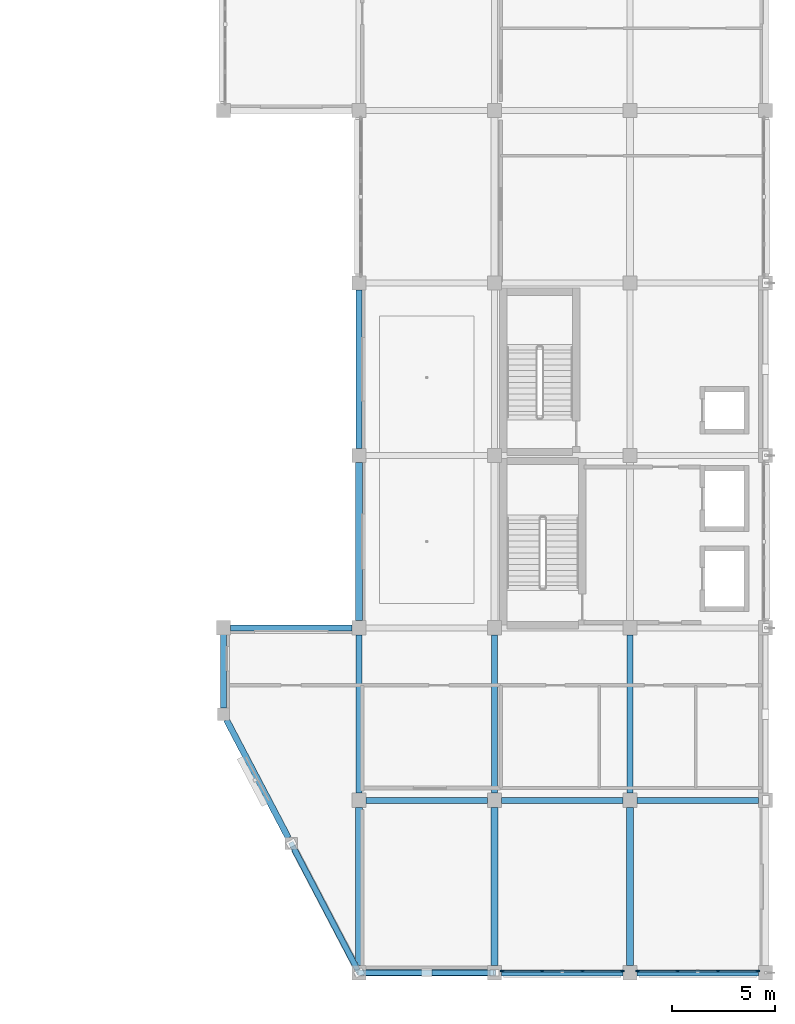
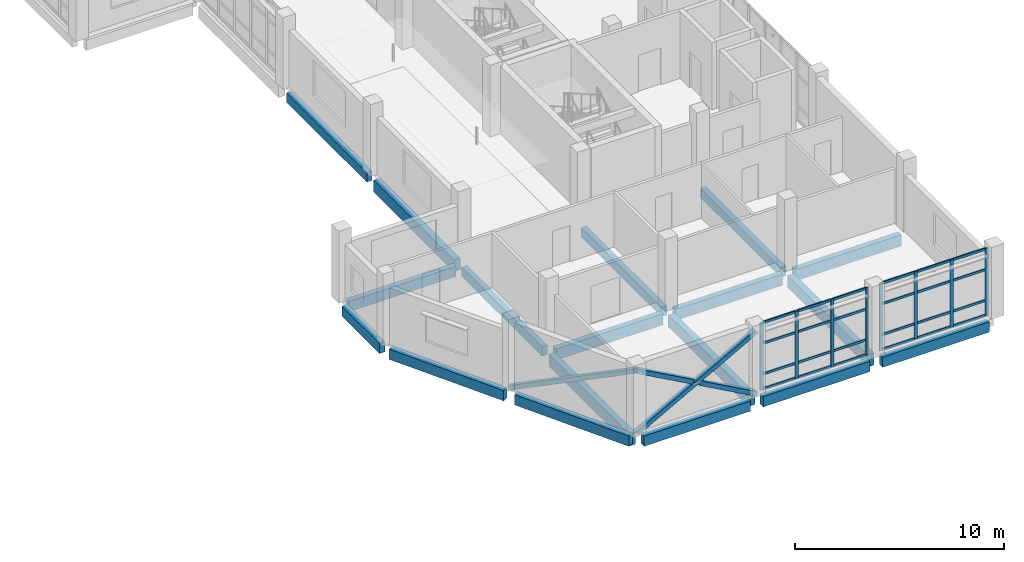
# One storey, part 26 of 78: 36 members, 18 beams, 2 elements without a shape of their own.
"""IFC4 building model written with IfcOpenShell, lengths in metres."""

from ifc_helpers import new_model, si_unit, direction, frame, origin, origin_2d, place, context, subcontext, project, spatial, rectangle, hollow_rectangle, extrude, material, material_profile, profile_set, type_object, element, aggregate, save


model = new_model("IFC4")

# Units and contexts
model_context = context("Model", 3, precision=1e-05, world=origin(), true_north=direction((0.0, 1.0)))
body_context = subcontext(model_context, "Body", "Model", "MODEL_VIEW")
ifc_project = project(units=[si_unit("LENGTHUNIT", "METRE"), si_unit("AREAUNIT", "SQUARE_METRE"), si_unit("VOLUMEUNIT", "CUBIC_METRE"), si_unit("PLANEANGLEUNIT", "RADIAN"), si_unit("MASSUNIT", "GRAM", prefix="KILO")], contexts=[model_context])

# Site, building, storey
site_placement = place(None, origin())
site = spatial("IfcSite", under=ifc_project, at=site_placement, CompositionType="ELEMENT")
building_placement = place(site_placement, origin())
building = spatial("IfcBuilding", under=site, at=building_placement, Name="Qaldarim Faculty of Natural and Applied Sciences", CompositionType="ELEMENT")
storey_placement = place(building_placement, frame((0.0, 0.0, 18.60009765625)))
storey = spatial("IfcBuildingStorey", under=building, at=storey_placement, Name="L04", CompositionType="ELEMENT", Elevation=18.60009765625)

# Beams
ifc_material_1 = material(Name="Concrete C40/50", Category="concrete")
ifc_material_profile_1 = material_profile(ifc_material_1, rectangle(XDim=0.300048828125, YDim=0.550048828125, at=origin_2d()), Name="RC-B300x550")
ifc_profile_set_1 = profile_set([ifc_material_profile_1], Name="Concrete C40/50")
beam_type_1 = type_object("IfcBeamType", Name="FloorBeam-RC300x550", PredefinedType="BEAM", material=ifc_profile_set_1)
for number, where, z_axis, x_axis, name in (
    (1, (158.39990234375, 8.75, -0.53515625), (0.0, 1.0, 0.0), (-1.0, 0.0, 0.0), "Beam RC-B300x550 L03 X25/Y02-Y03"),
    (2, (158.39990234375, 25.550048828125, -0.53515625), (0.0, 1.0, 0.0), (-1.0, 0.0, 0.0), "Beam RC-B300x550 L03 X25/Y04-Y05"),
    (3, (165.0, 8.75, -0.53515625), (0.0, 1.0, 0.0), (-1.0, 0.0, 0.0), "Beam RC-B300x550 L03 X26/Y02-Y03"),
    (4, (171.60009765625, 8.75, -0.53515625), (0.0, 1.0, 0.0), (-1.0, 0.0, 0.0), "Beam RC-B300x550 L03 X27/Y02-Y03"),
):
    element("IfcBeam", number, at=place(storey_placement, frame(where, z_axis=z_axis, x_axis=x_axis)), inside=storey, type_object=beam_type_1, Name=name, PredefinedType="BEAM", context=body_context, shape_type="SweptSolid", body=[
        extrude(rectangle(XDim=0.300048828125, YDim=0.550048828125, at=origin_2d()), origin(), (0.0, 0.0, 1.0), 7.699951171875),
    ])

# Members
ifc_material_2 = material(Name="Structural steel S355", Category="steel")
ifc_material_profile_2 = material_profile(ifc_material_2, hollow_rectangle(XDim=0.25, YDim=0.25, WallThickness=0.01611328125, at=origin_2d()), Name="SHS 250x250x16.0")
ifc_profile_set_2 = profile_set([ifc_material_profile_2], Name="Structural steel S355")
member_type_1 = type_object("IfcMemberType", Name="MidWingBrace-SHS250x16", PredefinedType="BRACE", material=ifc_profile_set_2)
member_1_placement = place(storey_placement, frame((158.39990234375, 0.0, 0.0), z_axis=(0.875664125319, 0.0, 0.482920634918), x_axis=(0.0, 1.0, 0.0)))
element("IfcMember", 5, at=member_1_placement, inside=storey, type_object=member_type_1, Name="South diagrid L04 primary brace L", PredefinedType="BRACE", context=body_context, shape_type="SweptSolid", body=[
    extrude(hollow_rectangle(XDim=0.25, YDim=0.25, WallThickness=0.01611328125, at=origin_2d()), origin(), (0.0, 0.0, 1.0), 7.537353515625),
])
for number, where, z_axis, x_axis, name in (
    (6, (165.0, 0.0, 0.0), (-0.875368793368, 0.0, 0.483455763848), (0.0, -1.0, 0.0), "South diagrid L04 split secondary lower brace R1"),
    (7, (161.5048828125, 0.0, 1.9248046875), (-0.87533966412, 0.0, 0.483508502944), (0.0, -1.0, 0.0), "South diagrid L04 split secondary upper brace R2"),
):
    element("IfcMember", number, at=place(storey_placement, frame(where, z_axis=z_axis, x_axis=x_axis)), inside=storey, type_object=member_type_1, Name=name, PredefinedType="BRACE", context=body_context, shape_type="SweptSolid", body=[
        extrude(hollow_rectangle(XDim=0.25, YDim=0.25, WallThickness=0.01611328125, at=origin_2d()), origin(), (0.0, 0.0, 1.0), 3.547119140625),
    ])
member_2_placement = place(storey_placement, frame((155.10009765625, 6.300048828125, 0.0), z_axis=(0.413030503168, -0.788565561871, 0.455598680951), x_axis=(0.8858443012, 0.463982622554, 0.0)))
element("IfcMember", 8, at=member_2_placement, inside=storey, type_object=member_type_1, Name="Oblique SW chamfer exoskeleton brace L04 2", PredefinedType="BRACE", context=body_context, shape_type="SweptSolid", body=[
    extrude(hollow_rectangle(XDim=0.25, YDim=0.25, WallThickness=0.01611328125, at=origin_2d()), origin(), (0.0, 0.0, 1.0), 7.9892578125),
])

# Curtain wall, members
ifc_material_3 = material(Name="Anodised aluminium AW-6063", Category="aluminium")
curtain_wall_type = type_object("IfcCurtainWallType", Name="CurtainWallSystem-M1700", PredefinedType="USERDEFINED", material=ifc_material_3)
curtain_wall_1_placement = place(storey_placement, origin())
curtain_wall_1 = element("IfcCurtainWall", 9, at=curtain_wall_1_placement, inside=storey, type_object=curtain_wall_type, Name="Curtain wall CW-L04-S-X26Y01", ObjectType="UNITISED FACADE", PredefinedType="USERDEFINED")
ifc_material_profile_3 = material_profile(ifc_material_3, rectangle(XDim=0.070068359375, YDim=0.179931640625, at=origin_2d()), Name="ALU-M70x180")
ifc_profile_set_3 = profile_set([ifc_material_profile_3], Name="Anodised aluminium AW-6063")
member_type_2 = type_object("IfcMemberType", Name="Mullion-ALU70x180", PredefinedType="MULLION", material=ifc_profile_set_3)
member_3_placement = place(storey_placement, frame((165.3798828125, 0.080078125, 0.0), z_axis=(0.0, 0.0, 1.0), x_axis=(0.0, 1.0, 0.0)))
member_3 = element("IfcMember", 10, at=member_3_placement, type_object=member_type_2, Name="Mullion 1 of CW-L04-S-X26Y01", PredefinedType="MULLION", context=body_context, shape_type="SweptSolid", body=[
    extrude(rectangle(XDim=0.070068359375, YDim=0.179931640625, at=origin_2d()), origin(), (0.0, 0.0, 1.0), 3.93994140625),
])
member_4_placement = place(storey_placement, frame((167.31494140625, 0.080078125, 0.0), z_axis=(0.0, 0.0, 1.0), x_axis=(0.0, 1.0, 0.0)))
member_4 = element("IfcMember", 11, at=member_4_placement, type_object=member_type_2, Name="Mullion 2 of CW-L04-S-X26Y01", PredefinedType="MULLION", context=body_context, shape_type="SweptSolid", body=[
    extrude(rectangle(XDim=0.070068359375, YDim=0.179931640625, at=origin_2d()), origin(), (0.0, 0.0, 1.0), 3.93994140625),
])
member_5_placement = place(storey_placement, frame((169.284912109375, 0.080078125, 0.0), z_axis=(0.0, 0.0, 1.0), x_axis=(0.0, 1.0, 0.0)))
member_5 = element("IfcMember", 12, at=member_5_placement, type_object=member_type_2, Name="Mullion 3 of CW-L04-S-X26Y01", PredefinedType="MULLION", context=body_context, shape_type="SweptSolid", body=[
    extrude(rectangle(XDim=0.070068359375, YDim=0.179931640625, at=origin_2d()), origin(), (0.0, 0.0, 1.0), 3.93994140625),
])
member_6_placement = place(storey_placement, frame((171.219970703125, 0.080078125, 0.0), z_axis=(0.0, 0.0, 1.0), x_axis=(0.0, 1.0, 0.0)))
member_6 = element("IfcMember", 13, at=member_6_placement, type_object=member_type_2, Name="Mullion 4 of CW-L04-S-X26Y01", PredefinedType="MULLION", context=body_context, shape_type="SweptSolid", body=[
    extrude(rectangle(XDim=0.070068359375, YDim=0.179931640625, at=origin_2d()), origin(), (0.0, 0.0, 1.0), 3.93994140625),
])

curtain_wall_2_placement = place(storey_placement, origin())
curtain_wall_2 = element("IfcCurtainWall", 14, at=curtain_wall_2_placement, inside=storey, type_object=curtain_wall_type, Name="Curtain wall CW-L04-S-X27Y01", ObjectType="UNITISED FACADE", PredefinedType="USERDEFINED")
member_7_placement = place(storey_placement, frame((171.97998046875, 0.080078125, 0.0), z_axis=(0.0, 0.0, 1.0), x_axis=(0.0, 1.0, 0.0)))
member_7 = element("IfcMember", 15, at=member_7_placement, type_object=member_type_2, Name="Mullion 1 of CW-L04-S-X27Y01", PredefinedType="MULLION", context=body_context, shape_type="SweptSolid", body=[
    extrude(rectangle(XDim=0.070068359375, YDim=0.179931640625, at=origin_2d()), origin(), (0.0, 0.0, 1.0), 3.93994140625),
])
member_8_placement = place(storey_placement, frame((173.9150390625, 0.080078125, 0.0), z_axis=(0.0, 0.0, 1.0), x_axis=(0.0, 1.0, 0.0)))
member_8 = element("IfcMember", 16, at=member_8_placement, type_object=member_type_2, Name="Mullion 2 of CW-L04-S-X27Y01", PredefinedType="MULLION", context=body_context, shape_type="SweptSolid", body=[
    extrude(rectangle(XDim=0.070068359375, YDim=0.179931640625, at=origin_2d()), origin(), (0.0, 0.0, 1.0), 3.93994140625),
])
member_9_placement = place(storey_placement, frame((175.885009765625, 0.080078125, 0.0), z_axis=(0.0, 0.0, 1.0), x_axis=(0.0, 1.0, 0.0)))
member_9 = element("IfcMember", 17, at=member_9_placement, type_object=member_type_2, Name="Mullion 3 of CW-L04-S-X27Y01", PredefinedType="MULLION", context=body_context, shape_type="SweptSolid", body=[
    extrude(rectangle(XDim=0.070068359375, YDim=0.179931640625, at=origin_2d()), origin(), (0.0, 0.0, 1.0), 3.93994140625),
])
member_10_placement = place(storey_placement, frame((177.820068359375, 0.080078125, 0.0), z_axis=(0.0, 0.0, 1.0), x_axis=(0.0, 1.0, 0.0)))
member_10 = element("IfcMember", 18, at=member_10_placement, type_object=member_type_2, Name="Mullion 4 of CW-L04-S-X27Y01", PredefinedType="MULLION", context=body_context, shape_type="SweptSolid", body=[
    extrude(rectangle(XDim=0.070068359375, YDim=0.179931640625, at=origin_2d()), origin(), (0.0, 0.0, 1.0), 3.93994140625),
])

# Beams
ifc_material_profile_4 = material_profile(ifc_material_1, rectangle(XDim=0.300048828125, YDim=0.64990234375, at=origin_2d()), Name="RC-B300x650")
ifc_profile_set_4 = profile_set([ifc_material_profile_4], Name="Concrete C40/50")
beam_type_2 = type_object("IfcBeamType", Name="PrimaryBeam-RC300x650", PredefinedType="BEAM", material=ifc_profile_set_4)
for number, where, z_axis, x_axis, name in (
    (19, (158.75, 8.39990234375, -0.585205078125), (1.0, 0.0, 0.0), (0.0, 1.0, 0.0), "Beam RC-B300x650 L03 X25-X26/Y02"),
    (20, (165.35009765625, 8.39990234375, -0.585205078125), (1.0, 0.0, 0.0), (0.0, 1.0, 0.0), "Beam RC-B300x650 L03 X26-X27/Y02"),
):
    element("IfcBeam", number, at=place(storey_placement, frame(where, z_axis=z_axis, x_axis=x_axis)), inside=storey, type_object=beam_type_2, Name=name, PredefinedType="BEAM", context=body_context, shape_type="SweptSolid", body=[
        extrude(rectangle(XDim=0.300048828125, YDim=0.64990234375, at=origin_2d()), origin(), (0.0, 0.0, 1.0), 5.89990234375),
    ])
beam_1_placement = place(storey_placement, frame((171.949951171875, 8.39990234375, -0.585205078125), z_axis=(1.0, 0.0, 0.0), x_axis=(0.0, 1.0, 0.0)))
element("IfcBeam", 21, at=beam_1_placement, inside=storey, type_object=beam_type_2, Name="Beam RC-B300x650 L03 X27-X28/Y02", PredefinedType="BEAM", context=body_context, shape_type="SweptSolid", body=[
    extrude(rectangle(XDim=0.300048828125, YDim=0.64990234375, at=origin_2d()), origin(), (0.0, 0.0, 1.0), 5.900146484375),
])
ifc_material_profile_5 = material_profile(ifc_material_1, rectangle(XDim=0.35009765625, YDim=0.699951171875, at=origin_2d()), Name="RC-B350x700")
ifc_profile_set_5 = profile_set([ifc_material_profile_5], Name="Concrete C40/50")
beam_type_3 = type_object("IfcBeamType", Name="PrimaryGirder-RC350x700", PredefinedType="BEAM", material=ifc_profile_set_5)
beam_2_placement = place(storey_placement, frame((158.39990234375, 0.35009765625, -0.610107421875), z_axis=(0.0, 1.0, 0.0), x_axis=(-1.0, 0.0, 0.0)))
element("IfcBeam", 22, at=beam_2_placement, inside=storey, type_object=beam_type_3, Name="Beam RC-B350x700 L03 X25/Y01-Y02", PredefinedType="BEAM", context=body_context, shape_type="SweptSolid", body=[
    extrude(rectangle(XDim=0.35009765625, YDim=0.699951171875, at=origin_2d()), origin(), (0.0, 0.0, 1.0), 7.699951171875),
])
beam_3_placement = place(storey_placement, frame((158.39990234375, 17.14990234375, -0.610107421875), z_axis=(0.0, 1.0, 0.0), x_axis=(-1.0, 0.0, 0.0)))
element("IfcBeam", 23, at=beam_3_placement, inside=storey, type_object=beam_type_3, Name="Beam RC-B350x700 L03 X25/Y03-Y04", PredefinedType="BEAM", context=body_context, shape_type="SweptSolid", body=[
    extrude(rectangle(XDim=0.35009765625, YDim=0.699951171875, at=origin_2d()), origin(), (0.0, 0.0, 1.0), 7.7001953125),
])
for number, where, z_axis, x_axis, name in (
    (24, (165.0, 0.35009765625, -0.610107421875), (0.0, 1.0, 0.0), (-1.0, 0.0, 0.0), "Beam RC-B350x700 L03 X26/Y01-Y02"),
    (25, (171.60009765625, 0.35009765625, -0.610107421875), (0.0, 1.0, 0.0), (-1.0, 0.0, 0.0), "Beam RC-B350x700 L03 X27/Y01-Y02"),
):
    element("IfcBeam", number, at=place(storey_placement, frame(where, z_axis=z_axis, x_axis=x_axis)), inside=storey, type_object=beam_type_3, Name=name, PredefinedType="BEAM", context=body_context, shape_type="SweptSolid", body=[
        extrude(rectangle(XDim=0.35009765625, YDim=0.699951171875, at=origin_2d()), origin(), (0.0, 0.0, 1.0), 7.699951171875),
    ])
ifc_material_4 = material(Name="Precast concrete C40/50", Category="concrete")
ifc_material_profile_6 = material_profile(ifc_material_4, rectangle(XDim=0.300048828125, YDim=0.60009765625, at=origin_2d()), Name="RC-SP300x600")
ifc_profile_set_6 = profile_set([ifc_material_profile_6], Name="Precast concrete C40/50")
beam_type_4 = type_object("IfcBeamType", Name="SpandrelBeam-RC300x600", PredefinedType="SPANDREL", material=ifc_profile_set_6)
for number, where, z_axis, x_axis, name in (
    (26, (158.75, 0.0, -0.56005859375), (1.0, 0.0, 0.0), (0.0, 1.0, 0.0), "Beam RC-SP300x600 L03 X25-X26/Y01"),
    (27, (165.35009765625, 0.0, -0.56005859375), (1.0, 0.0, 0.0), (0.0, 1.0, 0.0), "Beam RC-SP300x600 L03 X26-X27/Y01"),
):
    element("IfcBeam", number, at=place(storey_placement, frame(where, z_axis=z_axis, x_axis=x_axis)), inside=storey, type_object=beam_type_4, Name=name, PredefinedType="SPANDREL", context=body_context, shape_type="SweptSolid", body=[
        extrude(rectangle(XDim=0.300048828125, YDim=0.60009765625, at=origin_2d()), origin(), (0.0, 0.0, 1.0), 5.89990234375),
    ])
for number, where, z_axis, x_axis, name in (
    (28, (171.949951171875, 0.0, -0.56005859375), (1.0, 0.0, 0.0), (0.0, 1.0, 0.0), "Beam RC-SP300x600 L03 X27-X28/Y01"),
    (29, (152.14990234375, 16.800048828125, -0.56005859375), (1.0, 0.0, 0.0), (0.0, 1.0, 0.0), "Beam RC-SP300x600 L03 X24-X25/Y03"),
):
    element("IfcBeam", number, at=place(storey_placement, frame(where, z_axis=z_axis, x_axis=x_axis)), inside=storey, type_object=beam_type_4, Name=name, PredefinedType="SPANDREL", context=body_context, shape_type="SweptSolid", body=[
        extrude(rectangle(XDim=0.300048828125, YDim=0.60009765625, at=origin_2d()), origin(), (0.0, 0.0, 1.0), 5.900146484375),
    ])
beam_4_placement = place(storey_placement, frame((151.800048828125, 16.5, -0.56005859375), z_axis=(0.0, -1.0, 0.0), x_axis=(1.0, 0.0, 0.0)))
element("IfcBeam", 30, at=beam_4_placement, inside=storey, type_object=beam_type_4, Name="Oblique SW chamfer spandrel L03 1", PredefinedType="SPANDREL", context=body_context, shape_type="SweptSolid", body=[
    extrude(rectangle(XDim=0.300048828125, YDim=0.60009765625, at=origin_2d()), origin(), (0.0, 0.0, 1.0), 3.60009765625),
])
for number, where, z_axis, x_axis, name in (
    (31, (151.93994140625, 12.330078125, -0.56005859375), (0.464353423794, -0.885649986061, 0.0), (0.885649986061, 0.464353423794, 0.0), "Oblique SW chamfer spandrel L03 2"),
    (32, (155.239990234375, 6.030029296875, -0.56005859375), (0.464353423794, -0.885649986061, 0.0), (0.885649986061, 0.464353423794, 0.0), "Oblique SW chamfer spandrel L03 3"),
):
    element("IfcBeam", number, at=place(storey_placement, frame(where, z_axis=z_axis, x_axis=x_axis)), inside=storey, type_object=beam_type_4, Name=name, PredefinedType="SPANDREL", context=body_context, shape_type="SweptSolid", body=[
        extrude(rectangle(XDim=0.300048828125, YDim=0.60009765625, at=origin_2d()), origin(), (0.0, 0.0, 1.0), 6.503662109375),
    ])

# Member
ifc_material_profile_7 = material_profile(ifc_material_3, rectangle(XDim=0.070068359375, YDim=0.139892578125, at=origin_2d()), Name="ALU-T70x140")
ifc_profile_set_7 = profile_set([ifc_material_profile_7], Name="Anodised aluminium AW-6063")
member_type_3 = type_object("IfcMemberType", Name="Transom-ALU70x140", PredefinedType="USERDEFINED", material=ifc_profile_set_7)
member_11_placement = place(storey_placement, frame((165.4150390625, 0.080078125, 0.034912109375), z_axis=(1.0, 0.0, 0.0), x_axis=(0.0, 1.0, 0.0)))
member_11 = element("IfcMember", 33, at=member_11_placement, type_object=member_type_3, Name="Transom 1-1 of CW-L04-S-X26Y01", ObjectType="TRANSOM", PredefinedType="USERDEFINED", context=body_context, shape_type="SweptSolid", body=[
    extrude(rectangle(XDim=0.070068359375, YDim=0.139892578125, at=origin_2d()), origin(), (0.0, 0.0, 1.0), 1.864990234375),
])

member_12_placement = place(storey_placement, frame((165.4150390625, 0.080078125, 0.89990234375), z_axis=(1.0, 0.0, 0.0), x_axis=(0.0, 1.0, 0.0)))
member_12 = element("IfcMember", 34, at=member_12_placement, type_object=member_type_3, Name="Transom 1-2 of CW-L04-S-X26Y01", ObjectType="TRANSOM", PredefinedType="USERDEFINED", context=body_context, shape_type="SweptSolid", body=[
    extrude(rectangle(XDim=0.070068359375, YDim=0.139892578125, at=origin_2d()), origin(), (0.0, 0.0, 1.0), 1.864990234375),
])

member_13_placement = place(storey_placement, frame((165.4150390625, 0.080078125, 2.699951171875), z_axis=(1.0, 0.0, 0.0), x_axis=(0.0, 1.0, 0.0)))
member_13 = element("IfcMember", 35, at=member_13_placement, type_object=member_type_3, Name="Transom 1-3 of CW-L04-S-X26Y01", ObjectType="TRANSOM", PredefinedType="USERDEFINED", context=body_context, shape_type="SweptSolid", body=[
    extrude(rectangle(XDim=0.070068359375, YDim=0.139892578125, at=origin_2d()), origin(), (0.0, 0.0, 1.0), 1.864990234375),
])

member_14_placement = place(storey_placement, frame((165.4150390625, 0.080078125, 3.90478515625), z_axis=(1.0, 0.0, 0.0), x_axis=(0.0, 1.0, 0.0)))
member_14 = element("IfcMember", 36, at=member_14_placement, type_object=member_type_3, Name="Transom 1-4 of CW-L04-S-X26Y01", ObjectType="TRANSOM", PredefinedType="USERDEFINED", context=body_context, shape_type="SweptSolid", body=[
    extrude(rectangle(XDim=0.070068359375, YDim=0.139892578125, at=origin_2d()), origin(), (0.0, 0.0, 1.0), 1.864990234375),
])

member_15_placement = place(storey_placement, frame((167.35009765625, 0.080078125, 0.034912109375), z_axis=(1.0, 0.0, 0.0), x_axis=(0.0, 1.0, 0.0)))
member_15 = element("IfcMember", 37, at=member_15_placement, type_object=member_type_3, Name="Transom 2-1 of CW-L04-S-X26Y01", ObjectType="TRANSOM", PredefinedType="USERDEFINED", context=body_context, shape_type="SweptSolid", body=[
    extrude(rectangle(XDim=0.070068359375, YDim=0.139892578125, at=origin_2d()), origin(), (0.0, 0.0, 1.0), 1.89990234375),
])

member_16_placement = place(storey_placement, frame((167.35009765625, 0.080078125, 0.89990234375), z_axis=(1.0, 0.0, 0.0), x_axis=(0.0, 1.0, 0.0)))
member_16 = element("IfcMember", 38, at=member_16_placement, type_object=member_type_3, Name="Transom 2-2 of CW-L04-S-X26Y01", ObjectType="TRANSOM", PredefinedType="USERDEFINED", context=body_context, shape_type="SweptSolid", body=[
    extrude(rectangle(XDim=0.070068359375, YDim=0.139892578125, at=origin_2d()), origin(), (0.0, 0.0, 1.0), 1.89990234375),
])

member_17_placement = place(storey_placement, frame((167.35009765625, 0.080078125, 2.699951171875), z_axis=(1.0, 0.0, 0.0), x_axis=(0.0, 1.0, 0.0)))
member_17 = element("IfcMember", 39, at=member_17_placement, type_object=member_type_3, Name="Transom 2-3 of CW-L04-S-X26Y01", ObjectType="TRANSOM", PredefinedType="USERDEFINED", context=body_context, shape_type="SweptSolid", body=[
    extrude(rectangle(XDim=0.070068359375, YDim=0.139892578125, at=origin_2d()), origin(), (0.0, 0.0, 1.0), 1.89990234375),
])

member_18_placement = place(storey_placement, frame((167.35009765625, 0.080078125, 3.90478515625), z_axis=(1.0, 0.0, 0.0), x_axis=(0.0, 1.0, 0.0)))
member_18 = element("IfcMember", 40, at=member_18_placement, type_object=member_type_3, Name="Transom 2-4 of CW-L04-S-X26Y01", ObjectType="TRANSOM", PredefinedType="USERDEFINED", context=body_context, shape_type="SweptSolid", body=[
    extrude(rectangle(XDim=0.070068359375, YDim=0.139892578125, at=origin_2d()), origin(), (0.0, 0.0, 1.0), 1.89990234375),
])

member_19_placement = place(storey_placement, frame((169.320068359375, 0.080078125, 0.034912109375), z_axis=(1.0, 0.0, 0.0), x_axis=(0.0, 1.0, 0.0)))
member_19 = element("IfcMember", 41, at=member_19_placement, type_object=member_type_3, Name="Transom 3-1 of CW-L04-S-X26Y01", ObjectType="TRANSOM", PredefinedType="USERDEFINED", context=body_context, shape_type="SweptSolid", body=[
    extrude(rectangle(XDim=0.070068359375, YDim=0.139892578125, at=origin_2d()), origin(), (0.0, 0.0, 1.0), 1.864990234375),
])

member_20_placement = place(storey_placement, frame((169.320068359375, 0.080078125, 0.89990234375), z_axis=(1.0, 0.0, 0.0), x_axis=(0.0, 1.0, 0.0)))
member_20 = element("IfcMember", 42, at=member_20_placement, type_object=member_type_3, Name="Transom 3-2 of CW-L04-S-X26Y01", ObjectType="TRANSOM", PredefinedType="USERDEFINED", context=body_context, shape_type="SweptSolid", body=[
    extrude(rectangle(XDim=0.070068359375, YDim=0.139892578125, at=origin_2d()), origin(), (0.0, 0.0, 1.0), 1.864990234375),
])

member_21_placement = place(storey_placement, frame((169.320068359375, 0.080078125, 2.699951171875), z_axis=(1.0, 0.0, 0.0), x_axis=(0.0, 1.0, 0.0)))
member_21 = element("IfcMember", 43, at=member_21_placement, type_object=member_type_3, Name="Transom 3-3 of CW-L04-S-X26Y01", ObjectType="TRANSOM", PredefinedType="USERDEFINED", context=body_context, shape_type="SweptSolid", body=[
    extrude(rectangle(XDim=0.070068359375, YDim=0.139892578125, at=origin_2d()), origin(), (0.0, 0.0, 1.0), 1.864990234375),
])

member_22_placement = place(storey_placement, frame((169.320068359375, 0.080078125, 3.90478515625), z_axis=(1.0, 0.0, 0.0), x_axis=(0.0, 1.0, 0.0)))
member_22 = element("IfcMember", 44, at=member_22_placement, type_object=member_type_3, Name="Transom 3-4 of CW-L04-S-X26Y01", ObjectType="TRANSOM", PredefinedType="USERDEFINED", context=body_context, shape_type="SweptSolid", body=[
    extrude(rectangle(XDim=0.070068359375, YDim=0.139892578125, at=origin_2d()), origin(), (0.0, 0.0, 1.0), 1.864990234375),
])

aggregate(curtain_wall_1, [member_3, member_4, member_5, member_6, member_11, member_12, member_13, member_14, member_15, member_16, member_17, member_18, member_19, member_20, member_21, member_22])

member_23_placement = place(storey_placement, frame((172.014892578125, 0.080078125, 0.034912109375), z_axis=(1.0, 0.0, 0.0), x_axis=(0.0, 1.0, 0.0)))
member_23 = element("IfcMember", 45, at=member_23_placement, type_object=member_type_3, Name="Transom 1-1 of CW-L04-S-X27Y01", ObjectType="TRANSOM", PredefinedType="USERDEFINED", context=body_context, shape_type="SweptSolid", body=[
    extrude(rectangle(XDim=0.070068359375, YDim=0.139892578125, at=origin_2d()), origin(), (0.0, 0.0, 1.0), 1.864990234375),
])

member_24_placement = place(storey_placement, frame((172.014892578125, 0.080078125, 0.89990234375), z_axis=(1.0, 0.0, 0.0), x_axis=(0.0, 1.0, 0.0)))
member_24 = element("IfcMember", 46, at=member_24_placement, type_object=member_type_3, Name="Transom 1-2 of CW-L04-S-X27Y01", ObjectType="TRANSOM", PredefinedType="USERDEFINED", context=body_context, shape_type="SweptSolid", body=[
    extrude(rectangle(XDim=0.070068359375, YDim=0.139892578125, at=origin_2d()), origin(), (0.0, 0.0, 1.0), 1.864990234375),
])

member_25_placement = place(storey_placement, frame((172.014892578125, 0.080078125, 2.699951171875), z_axis=(1.0, 0.0, 0.0), x_axis=(0.0, 1.0, 0.0)))
member_25 = element("IfcMember", 47, at=member_25_placement, type_object=member_type_3, Name="Transom 1-3 of CW-L04-S-X27Y01", ObjectType="TRANSOM", PredefinedType="USERDEFINED", context=body_context, shape_type="SweptSolid", body=[
    extrude(rectangle(XDim=0.070068359375, YDim=0.139892578125, at=origin_2d()), origin(), (0.0, 0.0, 1.0), 1.864990234375),
])

member_26_placement = place(storey_placement, frame((172.014892578125, 0.080078125, 3.90478515625), z_axis=(1.0, 0.0, 0.0), x_axis=(0.0, 1.0, 0.0)))
member_26 = element("IfcMember", 48, at=member_26_placement, type_object=member_type_3, Name="Transom 1-4 of CW-L04-S-X27Y01", ObjectType="TRANSOM", PredefinedType="USERDEFINED", context=body_context, shape_type="SweptSolid", body=[
    extrude(rectangle(XDim=0.070068359375, YDim=0.139892578125, at=origin_2d()), origin(), (0.0, 0.0, 1.0), 1.864990234375),
])

member_27_placement = place(storey_placement, frame((173.949951171875, 0.080078125, 0.034912109375), z_axis=(1.0, 0.0, 0.0), x_axis=(0.0, 1.0, 0.0)))
member_27 = element("IfcMember", 49, at=member_27_placement, type_object=member_type_3, Name="Transom 2-1 of CW-L04-S-X27Y01", ObjectType="TRANSOM", PredefinedType="USERDEFINED", context=body_context, shape_type="SweptSolid", body=[
    extrude(rectangle(XDim=0.070068359375, YDim=0.139892578125, at=origin_2d()), origin(), (0.0, 0.0, 1.0), 1.900146484375),
])

member_28_placement = place(storey_placement, frame((173.949951171875, 0.080078125, 0.89990234375), z_axis=(1.0, 0.0, 0.0), x_axis=(0.0, 1.0, 0.0)))
member_28 = element("IfcMember", 50, at=member_28_placement, type_object=member_type_3, Name="Transom 2-2 of CW-L04-S-X27Y01", ObjectType="TRANSOM", PredefinedType="USERDEFINED", context=body_context, shape_type="SweptSolid", body=[
    extrude(rectangle(XDim=0.070068359375, YDim=0.139892578125, at=origin_2d()), origin(), (0.0, 0.0, 1.0), 1.900146484375),
])

member_29_placement = place(storey_placement, frame((173.949951171875, 0.080078125, 2.699951171875), z_axis=(1.0, 0.0, 0.0), x_axis=(0.0, 1.0, 0.0)))
member_29 = element("IfcMember", 51, at=member_29_placement, type_object=member_type_3, Name="Transom 2-3 of CW-L04-S-X27Y01", ObjectType="TRANSOM", PredefinedType="USERDEFINED", context=body_context, shape_type="SweptSolid", body=[
    extrude(rectangle(XDim=0.070068359375, YDim=0.139892578125, at=origin_2d()), origin(), (0.0, 0.0, 1.0), 1.900146484375),
])

member_30_placement = place(storey_placement, frame((173.949951171875, 0.080078125, 3.90478515625), z_axis=(1.0, 0.0, 0.0), x_axis=(0.0, 1.0, 0.0)))
member_30 = element("IfcMember", 52, at=member_30_placement, type_object=member_type_3, Name="Transom 2-4 of CW-L04-S-X27Y01", ObjectType="TRANSOM", PredefinedType="USERDEFINED", context=body_context, shape_type="SweptSolid", body=[
    extrude(rectangle(XDim=0.070068359375, YDim=0.139892578125, at=origin_2d()), origin(), (0.0, 0.0, 1.0), 1.900146484375),
])

member_31_placement = place(storey_placement, frame((175.919921875, 0.080078125, 0.034912109375), z_axis=(1.0, 0.0, 0.0), x_axis=(0.0, 1.0, 0.0)))
member_31 = element("IfcMember", 53, at=member_31_placement, type_object=member_type_3, Name="Transom 3-1 of CW-L04-S-X27Y01", ObjectType="TRANSOM", PredefinedType="USERDEFINED", context=body_context, shape_type="SweptSolid", body=[
    extrude(rectangle(XDim=0.070068359375, YDim=0.139892578125, at=origin_2d()), origin(), (0.0, 0.0, 1.0), 1.864990234375),
])

member_32_placement = place(storey_placement, frame((175.919921875, 0.080078125, 0.89990234375), z_axis=(1.0, 0.0, 0.0), x_axis=(0.0, 1.0, 0.0)))
member_32 = element("IfcMember", 54, at=member_32_placement, type_object=member_type_3, Name="Transom 3-2 of CW-L04-S-X27Y01", ObjectType="TRANSOM", PredefinedType="USERDEFINED", context=body_context, shape_type="SweptSolid", body=[
    extrude(rectangle(XDim=0.070068359375, YDim=0.139892578125, at=origin_2d()), origin(), (0.0, 0.0, 1.0), 1.864990234375),
])

member_33_placement = place(storey_placement, frame((175.919921875, 0.080078125, 2.699951171875), z_axis=(1.0, 0.0, 0.0), x_axis=(0.0, 1.0, 0.0)))
member_33 = element("IfcMember", 55, at=member_33_placement, type_object=member_type_3, Name="Transom 3-3 of CW-L04-S-X27Y01", ObjectType="TRANSOM", PredefinedType="USERDEFINED", context=body_context, shape_type="SweptSolid", body=[
    extrude(rectangle(XDim=0.070068359375, YDim=0.139892578125, at=origin_2d()), origin(), (0.0, 0.0, 1.0), 1.864990234375),
])

member_34_placement = place(storey_placement, frame((175.919921875, 0.080078125, 3.90478515625), z_axis=(1.0, 0.0, 0.0), x_axis=(0.0, 1.0, 0.0)))
member_34 = element("IfcMember", 56, at=member_34_placement, type_object=member_type_3, Name="Transom 3-4 of CW-L04-S-X27Y01", ObjectType="TRANSOM", PredefinedType="USERDEFINED", context=body_context, shape_type="SweptSolid", body=[
    extrude(rectangle(XDim=0.070068359375, YDim=0.139892578125, at=origin_2d()), origin(), (0.0, 0.0, 1.0), 1.864990234375),
])

aggregate(curtain_wall_2, [member_7, member_8, member_9, member_10, member_23, member_24, member_25, member_26, member_27, member_28, member_29, member_30, member_31, member_32, member_33, member_34])

save(model, "model.ifc")
